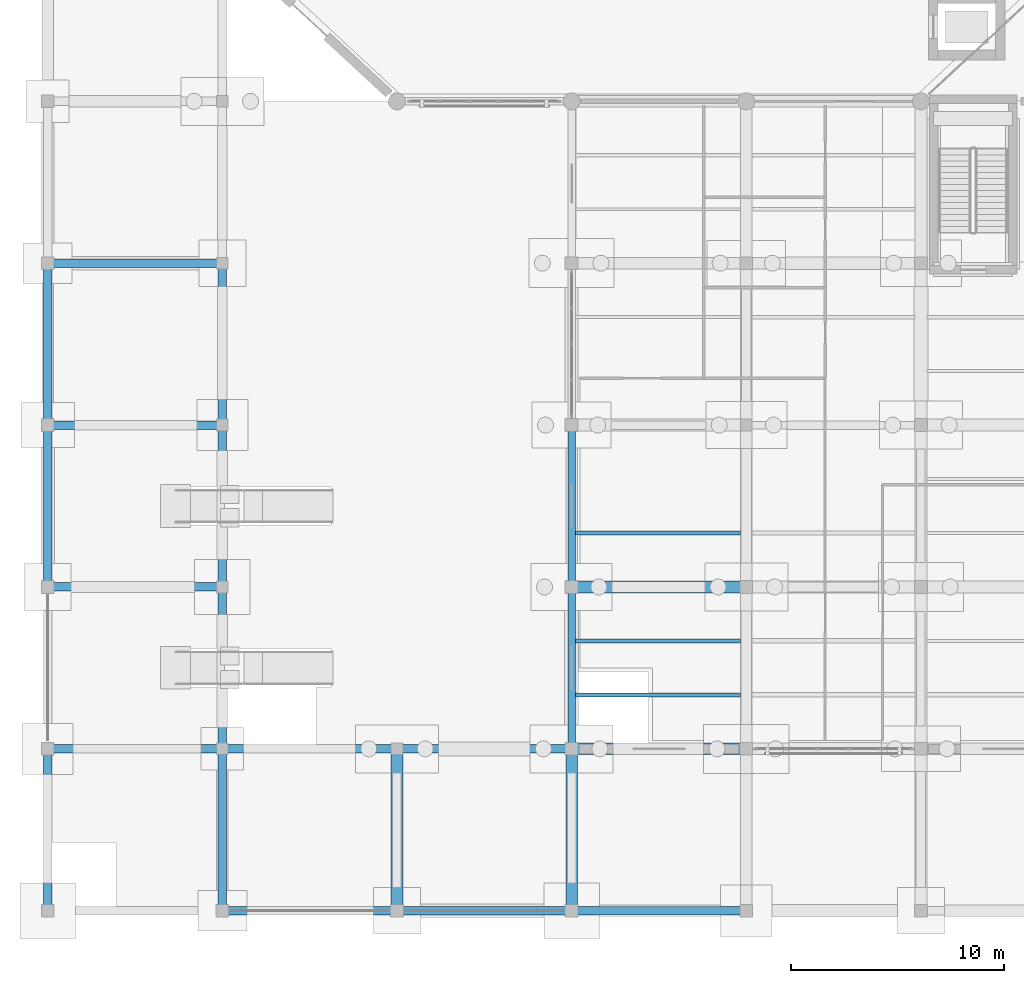
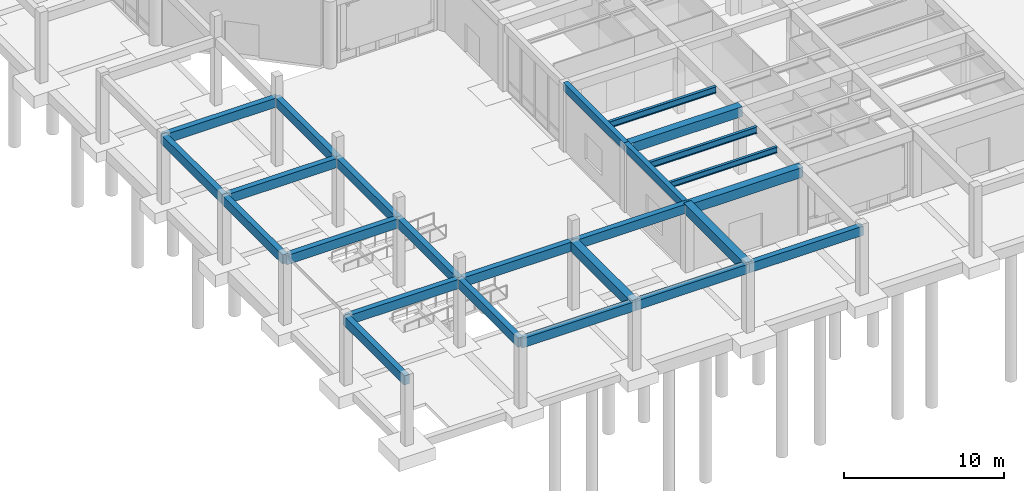
# One storey, part 11 of 64: 25 beams.
"""IFC4 building model written with IfcOpenShell, lengths in metres."""

from ifc_helpers import new_model, si_unit, direction, frame, origin, origin_2d, place, context, subcontext, project, spatial, rectangle, i_section, extrude, material, material_profile, profile_set, type_object, element, save


model = new_model("IFC4")

# Units and contexts
model_context = context("Model", 3, precision=1e-05, world=origin(), true_north=direction((0.0, 1.0)))
body_context = subcontext(model_context, "Body", "Model", "MODEL_VIEW")
ifc_project = project(units=[si_unit("LENGTHUNIT", "METRE"), si_unit("AREAUNIT", "SQUARE_METRE"), si_unit("VOLUMEUNIT", "CUBIC_METRE"), si_unit("PLANEANGLEUNIT", "RADIAN"), si_unit("MASSUNIT", "GRAM", prefix="KILO")], contexts=[model_context])

# Site, building, storey
site_placement = place(None, origin())
site = spatial("IfcSite", under=ifc_project, at=site_placement, CompositionType="ELEMENT")
building_placement = place(site_placement, origin())
building = spatial("IfcBuilding", under=site, at=building_placement, Name="Qandaris Square Conservatory and Botanical Centre", CompositionType="ELEMENT")
storey_placement = place(building_placement, origin())
storey = spatial("IfcBuildingStorey", under=building, at=storey_placement, Name="L00", CompositionType="ELEMENT", Elevation=0.0)

# Beams
ifc_material_1 = material(Name="Steel S355", Category="steel")
ifc_material_profile_1 = material_profile(ifc_material_1, i_section(OverallWidth=0.18994140625, OverallDepth=0.449951171875, WebThickness=0.009521484375, FlangeThickness=0.0146484375, FilletRadius=0.02099609375, at=origin_2d()), Name="IPE 450")
ifc_profile_set_1 = profile_set([ifc_material_profile_1], Name="Steel S355")
beam_type_1 = type_object("IfcBeamType", Name="Composite Archive Joist IPE 450", PredefinedType="JOIST", material=ifc_profile_set_1)
beam_1_placement = place(storey_placement, frame((32.77490234375, 19.13330078125, 4.864990234375), z_axis=(1.0, 0.0, 0.0), x_axis=(0.0, 1.0, 0.0)))
element("IfcBeam", 1, at=beam_1_placement, inside=storey, type_object=beam_type_1, Name="L00 Composite Joist 0699", PredefinedType="JOIST", context=body_context, shape_type="SweptSolid", body=[
    extrude(i_section(OverallWidth=0.18994140625, OverallDepth=0.449951171875, WebThickness=0.009521484375, FlangeThickness=0.0146484375, FilletRadius=0.02099609375, at=origin_2d()), origin(), (0.0, 0.0, 1.0), 7.75),
])
ifc_material_profile_2 = material_profile(ifc_material_1, i_section(OverallWidth=0.199951171875, OverallDepth=0.5, WebThickness=0.01025390625, FlangeThickness=0.01611328125, FilletRadius=0.02099609375, at=origin_2d()), Name="IPE 500")
ifc_profile_set_2 = profile_set([ifc_material_profile_2], Name="Steel S355")
beam_type_2 = type_object("IfcBeamType", Name="Composite Gallery Joist IPE 500", PredefinedType="JOIST", material=ifc_profile_set_2)
for number, where, z_axis, x_axis, name in (
    (2, (32.77490234375, 21.666748046875, 4.840087890625), (1.0, 0.0, 0.0), (0.0, 1.0, 0.0), "L00 Composite Joist 0700"),
    (3, (32.77490234375, 26.7333984375, 4.840087890625), (1.0, 0.0, 0.0), (0.0, 1.0, 0.0), "L00 Composite Joist 0701"),
):
    element("IfcBeam", number, at=place(storey_placement, frame(where, z_axis=z_axis, x_axis=x_axis)), inside=storey, type_object=beam_type_2, Name=name, PredefinedType="JOIST", context=body_context, shape_type="SweptSolid", body=[
        extrude(i_section(OverallWidth=0.199951171875, OverallDepth=0.5, WebThickness=0.01025390625, FlangeThickness=0.01611328125, FilletRadius=0.02099609375, at=origin_2d()), origin(), (0.0, 0.0, 1.0), 7.75),
    ])
ifc_material_2 = material(Name="Concrete C50/60", Category="concrete")
ifc_material_profile_3 = material_profile(ifc_material_2, rectangle(XDim=0.39990234375, YDim=0.699951171875, at=origin_2d()), Name="RC-SP 400x700")
ifc_profile_set_3 = profile_set([ifc_material_profile_3], Name="Concrete C50/60")
beam_type_3 = type_object("IfcBeamType", Name="RC Colonnade Spandrel Beam 400x700", PredefinedType="SPANDREL", material=ifc_profile_set_3)
beam_2_placement = place(storey_placement, frame((16.199951171875, 9.0, 4.824951171875), z_axis=(1.0, 0.0, 0.0), x_axis=(0.0, 1.0, 0.0)))
element("IfcBeam", 4, at=beam_2_placement, inside=storey, type_object=beam_type_3, Name="L00 Frame Beam 0319", PredefinedType="SPANDREL", context=body_context, shape_type="SweptSolid", body=[
    extrude(rectangle(XDim=0.39990234375, YDim=0.699951171875, at=origin_2d()), origin(), (0.0, 0.0, 1.0), 8.199951171875),
])
beam_3_placement = place(storey_placement, frame((24.39990234375, 9.0, 4.824951171875), z_axis=(1.0, 0.0, 0.0), x_axis=(0.0, 1.0, 0.0)))
element("IfcBeam", 5, at=beam_3_placement, inside=storey, type_object=beam_type_3, Name="L00 Frame Beam 0320", PredefinedType="SPANDREL", context=body_context, shape_type="SweptSolid", body=[
    extrude(rectangle(XDim=0.39990234375, YDim=0.699951171875, at=origin_2d()), origin(), (0.0, 0.0, 1.0), 8.2001953125),
])
for number, where, z_axis, x_axis, name in (
    (6, (32.60009765625, 9.0, 4.824951171875), (1.0, 0.0, 0.0), (0.0, 1.0, 0.0), "L00 Frame Beam 0321"),
    (7, (8.0, 16.60009765625, 4.824951171875), (1.0, 0.0, 0.0), (0.0, 1.0, 0.0), "L00 Frame Beam 0334"),
    (8, (16.199951171875, 16.60009765625, 4.824951171875), (1.0, 0.0, 0.0), (0.0, 1.0, 0.0), "L00 Frame Beam 0335"),
):
    element("IfcBeam", number, at=place(storey_placement, frame(where, z_axis=z_axis, x_axis=x_axis)), inside=storey, type_object=beam_type_3, Name=name, PredefinedType="SPANDREL", context=body_context, shape_type="SweptSolid", body=[
        extrude(rectangle(XDim=0.39990234375, YDim=0.699951171875, at=origin_2d()), origin(), (0.0, 0.0, 1.0), 8.199951171875),
    ])
beam_4_placement = place(storey_placement, frame((24.39990234375, 16.60009765625, 4.824951171875), z_axis=(1.0, 0.0, 0.0), x_axis=(0.0, 1.0, 0.0)))
element("IfcBeam", 9, at=beam_4_placement, inside=storey, type_object=beam_type_3, Name="L00 Frame Beam 0336", PredefinedType="SPANDREL", context=body_context, shape_type="SweptSolid", body=[
    extrude(rectangle(XDim=0.39990234375, YDim=0.699951171875, at=origin_2d()), origin(), (0.0, 0.0, 1.0), 8.2001953125),
])
for number, where, z_axis, x_axis, name in (
    (10, (8.0, 24.199951171875, 4.824951171875), (1.0, 0.0, 0.0), (0.0, 1.0, 0.0), "L00 Frame Beam 0354"),
    (11, (8.0, 31.800048828125, 4.824951171875), (1.0, 0.0, 0.0), (0.0, 1.0, 0.0), "L00 Frame Beam 0365"),
    (12, (8.0, 39.39990234375, 4.824951171875), (1.0, 0.0, 0.0), (0.0, 1.0, 0.0), "L00 Frame Beam 0375"),
):
    element("IfcBeam", number, at=place(storey_placement, frame(where, z_axis=z_axis, x_axis=x_axis)), inside=storey, type_object=beam_type_3, Name=name, PredefinedType="SPANDREL", context=body_context, shape_type="SweptSolid", body=[
        extrude(rectangle(XDim=0.39990234375, YDim=0.699951171875, at=origin_2d()), origin(), (0.0, 0.0, 1.0), 8.199951171875),
    ])
for number, where, z_axis, x_axis, name in (
    (13, (8.0, 9.0, 4.824951171875), (0.0, 1.0, 0.0), (-1.0, 0.0, 0.0), "L00 Frame Beam 0504"),
    (14, (8.0, 24.199951171875, 4.824951171875), (0.0, 1.0, 0.0), (-1.0, 0.0, 0.0), "L00 Frame Beam 0505"),
):
    element("IfcBeam", number, at=place(storey_placement, frame(where, z_axis=z_axis, x_axis=x_axis)), inside=storey, type_object=beam_type_3, Name=name, PredefinedType="SPANDREL", context=body_context, shape_type="SweptSolid", body=[
        extrude(rectangle(XDim=0.39990234375, YDim=0.699951171875, at=origin_2d()), origin(), (0.0, 0.0, 1.0), 7.60009765625),
    ])
beam_5_placement = place(storey_placement, frame((8.0, 31.800048828125, 4.824951171875), z_axis=(0.0, 1.0, 0.0), x_axis=(-1.0, 0.0, 0.0)))
element("IfcBeam", 15, at=beam_5_placement, inside=storey, type_object=beam_type_3, Name="L00 Frame Beam 0506", PredefinedType="SPANDREL", context=body_context, shape_type="SweptSolid", body=[
    extrude(rectangle(XDim=0.39990234375, YDim=0.699951171875, at=origin_2d()), origin(), (0.0, 0.0, 1.0), 7.599853515625),
])
beam_6_placement = place(storey_placement, frame((16.199951171875, 9.0, 4.824951171875), z_axis=(0.0, 1.0, 0.0), x_axis=(-1.0, 0.0, 0.0)))
element("IfcBeam", 16, at=beam_6_placement, inside=storey, type_object=beam_type_3, Name="L00 Frame Beam 0515", PredefinedType="SPANDREL", context=body_context, shape_type="SweptSolid", body=[
    extrude(rectangle(XDim=0.39990234375, YDim=0.699951171875, at=origin_2d()), origin(), (0.0, 0.0, 1.0), 7.60009765625),
])
beam_7_placement = place(storey_placement, frame((16.199951171875, 16.60009765625, 4.824951171875), z_axis=(0.0, 1.0, 0.0), x_axis=(-1.0, 0.0, 0.0)))
element("IfcBeam", 17, at=beam_7_placement, inside=storey, type_object=beam_type_3, Name="L00 Frame Beam 0516", PredefinedType="SPANDREL", context=body_context, shape_type="SweptSolid", body=[
    extrude(rectangle(XDim=0.39990234375, YDim=0.699951171875, at=origin_2d()), origin(), (0.0, 0.0, 1.0), 7.599853515625),
])
beam_8_placement = place(storey_placement, frame((16.199951171875, 24.199951171875, 4.824951171875), z_axis=(0.0, 1.0, 0.0), x_axis=(-1.0, 0.0, 0.0)))
element("IfcBeam", 18, at=beam_8_placement, inside=storey, type_object=beam_type_3, Name="L00 Frame Beam 0517", PredefinedType="SPANDREL", context=body_context, shape_type="SweptSolid", body=[
    extrude(rectangle(XDim=0.39990234375, YDim=0.699951171875, at=origin_2d()), origin(), (0.0, 0.0, 1.0), 7.60009765625),
])
beam_9_placement = place(storey_placement, frame((16.199951171875, 31.800048828125, 4.824951171875), z_axis=(0.0, 1.0, 0.0), x_axis=(-1.0, 0.0, 0.0)))
element("IfcBeam", 19, at=beam_9_placement, inside=storey, type_object=beam_type_3, Name="L00 Frame Beam 0518", PredefinedType="SPANDREL", context=body_context, shape_type="SweptSolid", body=[
    extrude(rectangle(XDim=0.39990234375, YDim=0.699951171875, at=origin_2d()), origin(), (0.0, 0.0, 1.0), 7.599853515625),
])
ifc_material_profile_4 = material_profile(ifc_material_2, rectangle(XDim=0.35009765625, YDim=0.60009765625, at=origin_2d()), Name="RC-SP 350x600")
ifc_profile_set_4 = profile_set([ifc_material_profile_4], Name="Concrete C50/60")
beam_type_4 = type_object("IfcBeamType", Name="RC Edge Spandrel Beam 350x600", PredefinedType="SPANDREL", material=ifc_profile_set_4)
beam_10_placement = place(storey_placement, frame((32.60009765625, 16.60009765625, 4.800048828125), z_axis=(0.0, 1.0, 0.0), x_axis=(-1.0, 0.0, 0.0)))
element("IfcBeam", 20, at=beam_10_placement, inside=storey, type_object=beam_type_4, Name="L00 Frame Beam 0532", PredefinedType="SPANDREL", context=body_context, shape_type="SweptSolid", body=[
    extrude(rectangle(XDim=0.35009765625, YDim=0.60009765625, at=origin_2d()), origin(), (0.0, 0.0, 1.0), 7.599853515625),
])
beam_11_placement = place(storey_placement, frame((32.60009765625, 24.199951171875, 4.800048828125), z_axis=(0.0, 1.0, 0.0), x_axis=(-1.0, 0.0, 0.0)))
element("IfcBeam", 21, at=beam_11_placement, inside=storey, type_object=beam_type_4, Name="L00 Frame Beam 0533", PredefinedType="SPANDREL", context=body_context, shape_type="SweptSolid", body=[
    extrude(rectangle(XDim=0.35009765625, YDim=0.60009765625, at=origin_2d()), origin(), (0.0, 0.0, 1.0), 7.60009765625),
])
ifc_material_profile_5 = material_profile(ifc_material_2, rectangle(XDim=0.550048828125, YDim=0.75, at=origin_2d()), Name="RC-BM 550x750")
ifc_profile_set_5 = profile_set([ifc_material_profile_5], Name="Concrete C50/60")
beam_type_5 = type_object("IfcBeamType", Name="RC Plinth Girder 550x750", PredefinedType="BEAM", material=ifc_profile_set_5)
for number, where, z_axis, x_axis, name in (
    (22, (32.60009765625, 16.60009765625, 4.72509765625), (1.0, 0.0, 0.0), (0.0, 1.0, 0.0), "L00 Frame Beam 0337"),
    (23, (32.60009765625, 24.199951171875, 4.72509765625), (1.0, 0.0, 0.0), (0.0, 1.0, 0.0), "L00 Frame Beam 0355"),
):
    element("IfcBeam", number, at=place(storey_placement, frame(where, z_axis=z_axis, x_axis=x_axis)), inside=storey, type_object=beam_type_5, Name=name, PredefinedType="BEAM", context=body_context, shape_type="SweptSolid", body=[
        extrude(rectangle(XDim=0.550048828125, YDim=0.75, at=origin_2d()), origin(), (0.0, 0.0, 1.0), 8.199951171875),
    ])
for number, where, z_axis, x_axis, name in (
    (24, (24.39990234375, 9.0, 4.800048828125), (0.0, 1.0, 0.0), (-1.0, 0.0, 0.0), "L00 Frame Beam 0530"),
    (25, (32.60009765625, 9.0, 4.800048828125), (0.0, 1.0, 0.0), (-1.0, 0.0, 0.0), "L00 Frame Beam 0531"),
):
    element("IfcBeam", number, at=place(storey_placement, frame(where, z_axis=z_axis, x_axis=x_axis)), inside=storey, type_object=beam_type_5, Name=name, PredefinedType="BEAM", context=body_context, shape_type="SweptSolid", body=[
        extrude(rectangle(XDim=0.550048828125, YDim=0.75, at=origin_2d()), origin(), (0.0, 0.0, 1.0), 7.60009765625),
    ])

save(model, "model.ifc")
